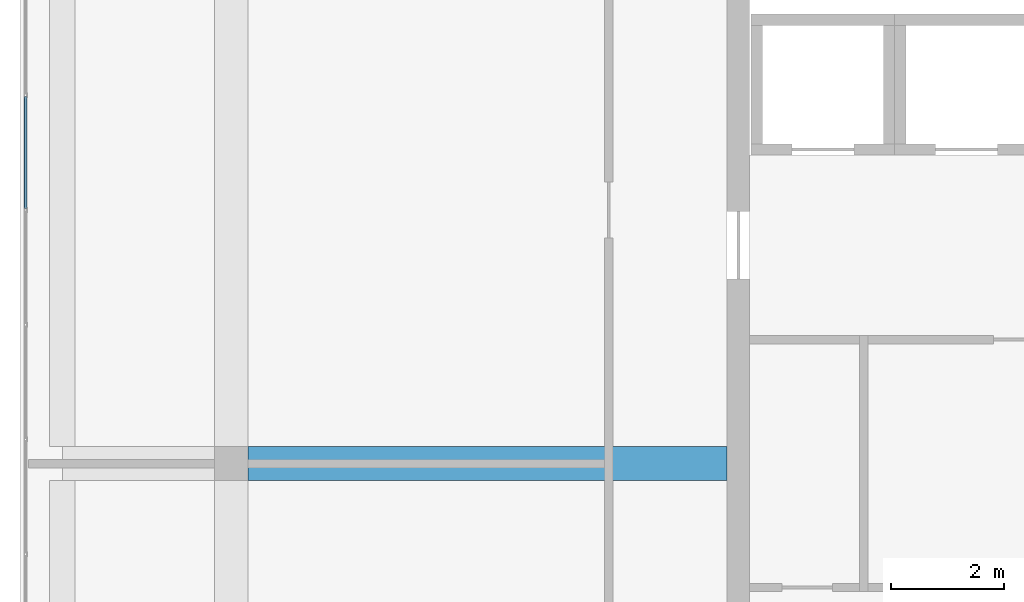
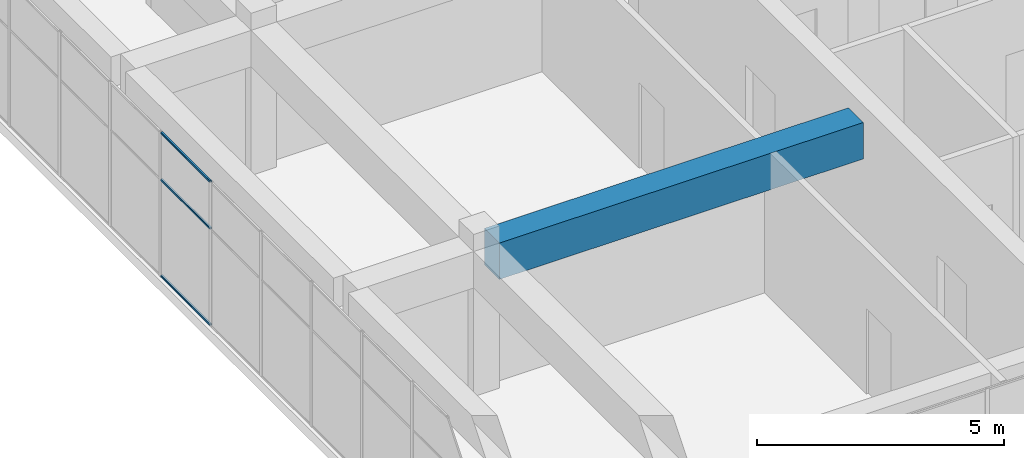
# One storey, part 12 of 35: 3 members, 1 beam, 1 element without a shape of its own.
"""IFC4 building model written with IfcOpenShell, lengths in metres."""

from ifc_helpers import new_model, si_unit, direction, frame, origin, origin_2d, place, context, subcontext, project, spatial, rectangle, hollow_rectangle, extrude, material, layer, layer_set, material_profile, profile_set, type_object, element, aggregate, save


model = new_model("IFC4")

# Units and contexts
model_context = context("Model", 3, precision=1e-05, world=origin(), true_north=direction((0.0, 1.0)))
body_context = subcontext(model_context, "Body", "Model", "MODEL_VIEW")
ifc_project = project(units=[si_unit("LENGTHUNIT", "METRE"), si_unit("AREAUNIT", "SQUARE_METRE"), si_unit("VOLUMEUNIT", "CUBIC_METRE"), si_unit("PLANEANGLEUNIT", "RADIAN"), si_unit("MASSUNIT", "GRAM", prefix="KILO")], contexts=[model_context])

# Site, building, storey
site_placement = place(None, origin())
site = spatial("IfcSite", under=ifc_project, at=site_placement, CompositionType="ELEMENT")
building_placement = place(site_placement, origin())
building = spatial("IfcBuilding", under=site, at=building_placement, Name="Tuart Plaza Theatre", CompositionType="ELEMENT")
storey_placement = place(building_placement, frame((0.0, 0.0, 49.5)))
storey = spatial("IfcBuildingStorey", under=building, at=storey_placement, Name="L12", CompositionType="ELEMENT", Elevation=49.5)

# Beam
ifc_material_1 = material(Name="Concrete N40 (40 MPa)", Category="concrete")
ifc_material_profile_1 = material_profile(ifc_material_1, rectangle(XDim=0.60009765625, YDim=0.89990234375, at=origin_2d()), Name="BEAM 600x900 Concrete N40 (40 MPa)")
ifc_profile_set_1 = profile_set([ifc_material_profile_1], Name="Concrete N40 (40 MPa)")
beam_type = type_object("IfcBeamType", Name="BEAM 600x900 Concrete N40 (40 MPa)", PredefinedType="BEAM", material=ifc_profile_set_1)
beam_placement = place(storey_placement, frame((114.300048828125, 74.0, 3.1298828125), z_axis=(1.0, 0.0, 0.0), x_axis=(0.0, 1.0, 0.0)))
element("IfcBeam", 1, at=beam_placement, inside=storey, type_object=beam_type, Name="RB292", PredefinedType="BEAM", context=body_context, shape_type="SweptSolid", body=[
    extrude(rectangle(XDim=0.60009765625, YDim=0.89990234375, at=origin_2d()), origin(), (0.0, 0.0, 1.0), 8.5),
])

# Curtain wall, members
ifc_material_2 = material(Name="Aluminium and glass", Category="aluminium")
ifc_layer = layer(ifc_material_2, 0.10009765625)
ifc_layer_set = layer_set([ifc_layer], Name="CURTAIN WALL 2000 module")
curtain_wall_type = type_object("IfcCurtainWallType", Name="CURTAIN WALL 2000 module", PredefinedType="NOTDEFINED", material=ifc_layer_set)
curtain_wall_placement = place(storey_placement, origin())
curtain_wall = element("IfcCurtainWall", 2, at=curtain_wall_placement, inside=storey, type_object=curtain_wall_type, Name="CW106", PredefinedType="NOTDEFINED")
ifc_material_3 = material(Name="Aluminium 6063-T5", Category="aluminium")
ifc_material_profile_2 = material_profile(ifc_material_3, hollow_rectangle(XDim=0.050048828125, YDim=0.050048828125, WallThickness=0.00390625, InnerFilletRadius=0.00390625, OuterFilletRadius=0.008056640625, at=origin_2d()), Name="RHS 50x50x4")
ifc_profile_set_2 = profile_set([ifc_material_profile_2], Name="Aluminium 6063-T5")
member_type = type_object("IfcMemberType", Name="TRANSOM RHS 50x50x4", PredefinedType="USERDEFINED", material=ifc_profile_set_2)
member_1_placement = place(storey_placement, frame((110.35009765625, 80.5107421875, 0.02490234375), z_axis=(0.0, -1.0, 0.0), x_axis=(1.0, 0.0, 0.0)))
member_1 = element("IfcMember", 3, at=member_1_placement, type_object=member_type, Name="CW106 transom 7.1", ObjectType="TRANSOM", PredefinedType="USERDEFINED", context=body_context, shape_type="SweptSolid", body=[
    extrude(hollow_rectangle(XDim=0.050048828125, YDim=0.050048828125, WallThickness=0.00390625, InnerFilletRadius=0.00390625, OuterFilletRadius=0.008056640625, at=origin_2d()), origin(), (0.0, 0.0, 1.0), 1.98583984375),
])
member_2_placement = place(storey_placement, frame((110.35009765625, 80.5107421875, 2.39990234375), z_axis=(0.0, -1.0, 0.0), x_axis=(1.0, 0.0, 0.0)))
member_2 = element("IfcMember", 4, at=member_2_placement, type_object=member_type, Name="CW106 transom 7.2", ObjectType="TRANSOM", PredefinedType="USERDEFINED", context=body_context, shape_type="SweptSolid", body=[
    extrude(hollow_rectangle(XDim=0.050048828125, YDim=0.050048828125, WallThickness=0.00390625, InnerFilletRadius=0.00390625, OuterFilletRadius=0.008056640625, at=origin_2d()), origin(), (0.0, 0.0, 1.0), 1.98583984375),
])
member_3_placement = place(storey_placement, frame((110.35009765625, 80.5107421875, 3.554931640625), z_axis=(0.0, -1.0, 0.0), x_axis=(1.0, 0.0, 0.0)))
member_3 = element("IfcMember", 5, at=member_3_placement, type_object=member_type, Name="CW106 transom 7.3", ObjectType="TRANSOM", PredefinedType="USERDEFINED", context=body_context, shape_type="SweptSolid", body=[
    extrude(hollow_rectangle(XDim=0.050048828125, YDim=0.050048828125, WallThickness=0.00390625, InnerFilletRadius=0.00390625, OuterFilletRadius=0.008056640625, at=origin_2d()), origin(), (0.0, 0.0, 1.0), 1.98583984375),
])
aggregate(curtain_wall, [member_1, member_2, member_3])

save(model, "model.ifc")
